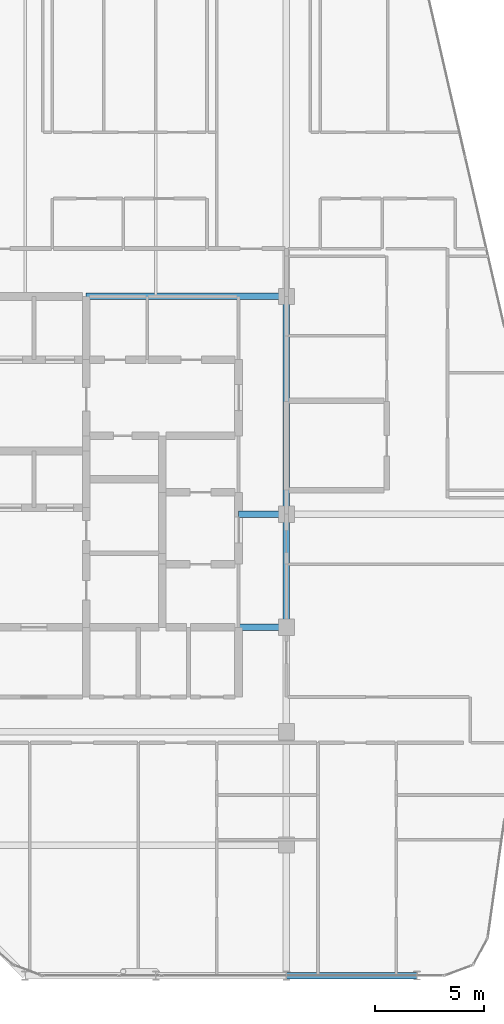
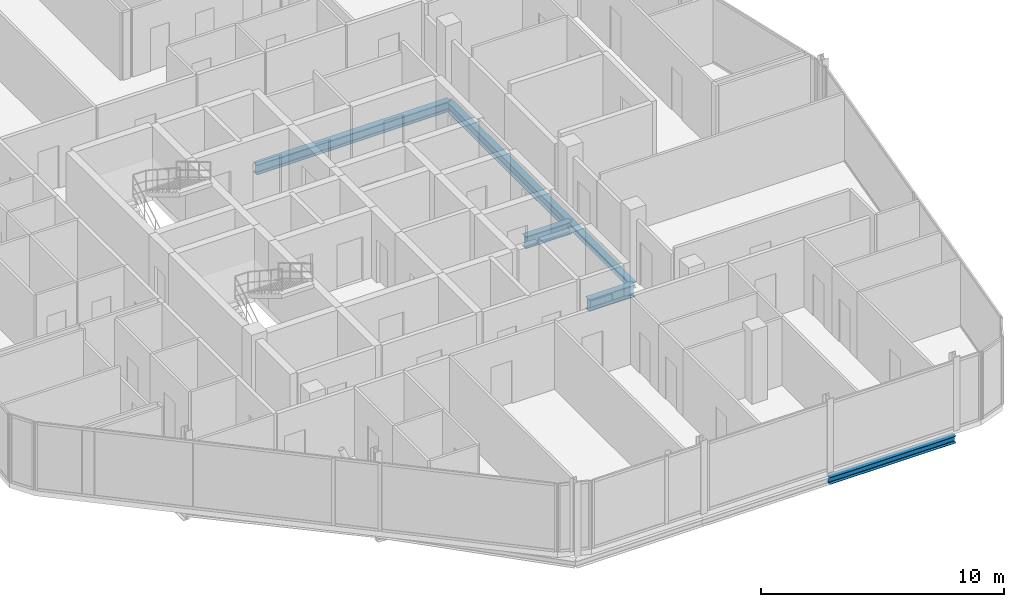
# One storey, part 11 of 27: 6 beams.
"""IFC4 building model written with IfcOpenShell, lengths in metres."""

import ifcopenshell
import ifcopenshell.guid

model = None  # the IFC model being written
_history = None  # IfcOwnerHistory: only IFC2X3 demands one
_inside = {}  # id of a spatial element -> (the spatial element, [elements in it])
_under = {}  # id of a project, library or spatial element -> (it, [spatial elements below it])
_declared = {}  # id of a project -> (the project, [libraries it declares])
_typed = {}  # id of a type object -> (the type object, [elements of that type])
_made_of = {}  # id of a material, layer set ... -> (it, [elements and type objects made of it])


def new_model(schema):
    """Start an empty IFC model of exactly this schema.

    Asked for "IFC4X3", IfcOpenShell would pick the latest addendum, in which some entities
    have other attributes; the version numbers below select the first issue.
    IFC2X3 requires an IfcOwnerHistory on every rooted entity: one is made here for all.
    """
    global model, _history
    if schema == "IFC4X3":
        model = ifcopenshell.file(schema_version=(4, 3, 0, 0))
    else:
        model = ifcopenshell.file(schema=schema)
    _inside.clear()
    _under.clear()
    _declared.clear()
    _typed.clear()
    _made_of.clear()
    _history = None
    if model.schema == "IFC2X3":
        org = make("IfcOrganization", Name="unknown")
        user = make(
            "IfcPersonAndOrganization",
            ThePerson=make("IfcPerson", FamilyName="unknown"),
            TheOrganization=org,
        )
        app = make(
            "IfcApplication",
            ApplicationDeveloper=org,
            Version="unknown",
            ApplicationFullName="unknown",
            ApplicationIdentifier="unknown",
        )
        _history = make(
            "IfcOwnerHistory",
            OwningUser=user,
            OwningApplication=app,
            ChangeAction="ADDED",
            CreationDate=0,
        )
    return model


def make(cls, **values):
    """One entity of the class cls with the attributes given. An attribute that is None is left unset."""
    return model.create_entity(
        cls, **{name: value for name, value in values.items() if value is not None}
    )


def rooted(cls, **values):
    """An entity with a GlobalId (a new one), such as an element, a storey or a relation."""
    return make(cls, GlobalId=ifcopenshell.guid.new(), OwnerHistory=_history, **values)


def si_unit(unit_type, name, prefix=None):
    """IfcSIUnit, for example si_unit("LENGTHUNIT", "METRE", prefix="MILLI")."""
    return make("IfcSIUnit", UnitType=unit_type, Prefix=prefix, Name=name)


def assignment(units):
    """IfcUnitAssignment: the units of a project."""
    return None if units is None else make("IfcUnitAssignment", Units=units)


def point(xyz):
    """IfcCartesianPoint."""
    return None if xyz is None else make("IfcCartesianPoint", Coordinates=xyz)


def direction(xyz):
    """IfcDirection."""
    return None if xyz is None else make("IfcDirection", DirectionRatios=xyz)


def frame(location, z_axis=None, x_axis=None):
    """IfcAxis2Placement3D, a coordinate frame: its origin and axes. An axis left out is left unset."""
    return make(
        "IfcAxis2Placement3D",
        Location=point(location),
        Axis=direction(z_axis),
        RefDirection=direction(x_axis),
    )


def frame_2d(location, x_axis=None):
    """IfcAxis2Placement2D, a coordinate frame in the plane: its origin and x axis."""
    return make(
        "IfcAxis2Placement2D", Location=point(location), RefDirection=direction(x_axis)
    )


def origin():
    """The frame at (0, 0, 0) with its axes left unset."""
    return frame((0.0, 0.0, 0.0))


def origin_2d():
    """The frame at (0, 0) in the plane with its x axis left unset."""
    return frame_2d((0.0, 0.0))


def place(relative_to, where):
    """IfcLocalPlacement: puts the frame where relative to a parent placement (None: the world)."""
    return make(
        "IfcLocalPlacement", PlacementRelTo=relative_to, RelativePlacement=where
    )


def context(
    kind, dimensions, precision=None, world=None, true_north=None, identifier=None
):
    """IfcGeometricRepresentationContext, for example the 3D "Model" context."""
    return make(
        "IfcGeometricRepresentationContext",
        ContextIdentifier=identifier,
        ContextType=kind,
        CoordinateSpaceDimension=dimensions,
        Precision=precision,
        WorldCoordinateSystem=world,
        TrueNorth=true_north,
    )


def subcontext(parent, identifier, kind, view, scale=None):
    """IfcGeometricRepresentationSubContext, for example "Body" below "Model"."""
    return make(
        "IfcGeometricRepresentationSubContext",
        ContextIdentifier=identifier,
        ContextType=kind,
        ParentContext=parent,
        TargetScale=scale,
        TargetView=view,
    )


def project(units=None, contexts=None):
    """IfcProject with its units and contexts."""
    return rooted(
        "IfcProject",
        Name="project",
        RepresentationContexts=contexts,
        UnitsInContext=assignment(units),
    )


def spatial(cls, under=None, at=None, **own):
    """A site, building, storey or space (cls), placed at a placement, below another one or the project."""
    s = rooted(cls, ObjectPlacement=at, **own)
    if under is not None:
        _under.setdefault(under.id(), (under, []))[1].append(s)
    return s


def profile(cls, at=None, kind="AREA", **sizes):
    """A parametric profile (cls). Its sizes go by their IFC names, for example OverallWidth=200.0."""
    return make(cls, ProfileType=kind, Position=at, **sizes)


def i_section(**sizes):
    """IfcIShapeProfileDef."""
    return profile("IfcIShapeProfileDef", **sizes)


def extrude(swept, where, along, depth):
    """IfcExtrudedAreaSolid: the profile swept, set in the frame where, extruded along a direction by depth."""
    return make(
        "IfcExtrudedAreaSolid",
        SweptArea=swept,
        Position=where,
        ExtrudedDirection=direction(along),
        Depth=depth,
    )


def shape(context_of_items, identifier, shape_type, items):
    """IfcShapeRepresentation: the items that make up one representation, for example the "Body"."""
    return make(
        "IfcShapeRepresentation",
        ContextOfItems=context_of_items,
        RepresentationIdentifier=identifier,
        RepresentationType=shape_type,
        Items=items,
    )


def material(Name=None, Category=None):
    """IfcMaterial."""
    return make("IfcMaterial", Name=Name, Category=Category)


def material_profile(
    of_material, cross_section, Name=None, Category=None, Priority=None
):
    """IfcMaterialProfile: a cross section and its material."""
    return make(
        "IfcMaterialProfile",
        Name=Name,
        Material=of_material,
        Profile=cross_section,
        Priority=Priority,
        Category=Category,
    )


def profile_set(profiles, Name=None, composite=None):
    """IfcMaterialProfileSet."""
    return make(
        "IfcMaterialProfileSet",
        Name=Name,
        MaterialProfiles=profiles,
        CompositeProfile=composite,
    )


def made_of(thing, what):
    """Note that an element or type object is made of a material, layer set ...; save() writes the relation."""
    if what is not None:
        _made_of.setdefault(what.id(), (what, []))[1].append(thing)
    return thing


def type_object(cls, material=None, **own):
    """A type object (cls), such as IfcWallType, which elements share."""
    return made_of(rooted(cls, **own), material)


def element(
    cls,
    number,
    at=None,
    inside=None,
    cuts=None,
    type_object=None,
    material=None,
    context=None,
    identifier="Body",
    shape_type=None,
    held_by="IfcProductDefinitionShape",
    body=None,
    shapes=None,
    **own,
):
    """One element of the class cls, such as IfcWall. Its Tag is "e" and its number.

    at: its placement. inside: the storey or other place that contains it. cuts: it is an
    opening in that element (IfcRelVoidsElement). A single representation is given by context,
    identifier, shape_type and body (its items); several are given by shapes. held_by: the class
    of the entity that holds the representations. save() writes the other relations.
    """
    e = rooted(cls, Tag="e%d" % number, ObjectPlacement=at, **own)
    if body is not None:
        shapes = [shape(context, identifier, shape_type, body)]
    if shapes is not None:
        e.Representation = make(held_by, Representations=shapes)
    if inside is not None:
        _inside.setdefault(inside.id(), (inside, []))[1].append(e)
    if cuts is not None:
        rooted(
            "IfcRelVoidsElement", RelatingBuildingElement=cuts, RelatedOpeningElement=e
        )
    if type_object is not None:
        _typed.setdefault(type_object.id(), (type_object, []))[1].append(e)
    return made_of(e, material)


def aggregate(whole, parts):
    """IfcRelAggregates: a whole, such as a stair, and the parts it consists of."""
    return rooted("IfcRelAggregates", RelatingObject=whole, RelatedObjects=parts)


def save(model, path):
    """Write the relations noted so far, then the file.

    IfcRelAggregates (storeys below a building ...), IfcRelContainedInSpatialStructure (elements
    in a storey), IfcRelDefinesByType, IfcRelAssociatesMaterial and IfcRelDeclares: one each for
    every whole, place, type object, material and project.
    """
    for whole, parts in _under.values():
        aggregate(whole, parts)
    for where, things in _inside.values():
        rooted(
            "IfcRelContainedInSpatialStructure",
            RelatedElements=things,
            RelatingStructure=where,
        )
    for kind, things in _typed.values():
        rooted("IfcRelDefinesByType", RelatedObjects=things, RelatingType=kind)
    for what, things in _made_of.values():
        rooted("IfcRelAssociatesMaterial", RelatedObjects=things, RelatingMaterial=what)
    for by, libraries in _declared.values():
        rooted("IfcRelDeclares", RelatingContext=by, RelatedDefinitions=libraries)
    model.write(path)


model = new_model("IFC4")

# Units and contexts
model_context = context("Model", 3, precision=1e-05, world=origin(), true_north=direction((0.0, 1.0)))
body_context = subcontext(model_context, "Body", "Model", "MODEL_VIEW")
ifc_project = project(units=[si_unit("LENGTHUNIT", "METRE"), si_unit("AREAUNIT", "SQUARE_METRE"), si_unit("VOLUMEUNIT", "CUBIC_METRE"), si_unit("PLANEANGLEUNIT", "RADIAN"), si_unit("MASSUNIT", "GRAM", prefix="KILO")], contexts=[model_context])

# Site, building, storey
site_placement = place(None, origin())
site = spatial("IfcSite", under=ifc_project, at=site_placement, CompositionType="ELEMENT")
building_placement = place(site_placement, origin())
building = spatial("IfcBuilding", under=site, at=building_placement, Name="Keshet Zoharim Tower", CompositionType="ELEMENT")
storey_placement = place(building_placement, frame((0.0, 0.0, 262.10009765625)))
storey = spatial("IfcBuildingStorey", under=building, at=storey_placement, Name="L65", CompositionType="ELEMENT", Elevation=262.10009765625)

# Beams
ifc_material = material(Name="Steel S355", Category="steel")
ifc_material_profile_1 = material_profile(ifc_material, i_section(OverallWidth=0.300048828125, OverallDepth=0.60009765625, WebThickness=0.015380859375, FlangeThickness=0.030029296875, FilletRadius=0.027099609375, at=origin_2d()), Name="HEB600")
ifc_profile_set_1 = profile_set([ifc_material_profile_1], Name="Steel S355")
beam_type_1 = type_object("IfcBeamType", Name="BM-CLK-HB600", PredefinedType="BEAM", material=ifc_profile_set_1)
for number, where, z_axis, x_axis, name in (
    (1, (30.800048828125, 22.699951171875, -0.610107421875), (1.0, 0.0, 0.0), (0.0, 1.0, 0.0), "L65 Core Wall Link Girder 01"),
    (2, (30.800048828125, 27.89990234375, -0.610107421875), (1.0, 0.0, 0.0), (0.0, 1.0, 0.0), "L65 Core Wall Link Girder 02"),
):
    element("IfcBeam", number, at=place(storey_placement, frame(where, z_axis=z_axis, x_axis=x_axis)), inside=storey, type_object=beam_type_1, Name=name, PredefinedType="BEAM", context=body_context, shape_type="SweptSolid", body=[
        extrude(i_section(OverallWidth=0.300048828125, OverallDepth=0.60009765625, WebThickness=0.015380859375, FlangeThickness=0.030029296875, FilletRadius=0.027099609375, at=origin_2d()), origin(), (0.0, 0.0, 1.0), 2.199951171875),
    ])
ifc_material_profile_2 = material_profile(ifc_material, i_section(OverallWidth=0.300048828125, OverallDepth=0.5, WebThickness=0.014404296875, FlangeThickness=0.028076171875, FilletRadius=0.027099609375, at=origin_2d()), Name="HEB500")
ifc_profile_set_2 = profile_set([ifc_material_profile_2], Name="Steel S355")
beam_type_2 = type_object("IfcBeamType", Name="BM-MED-HB500", PredefinedType="BEAM", material=ifc_profile_set_2)
beam_1_placement = place(storey_placement, frame((23.800048828125, 37.89990234375, -0.56005859375), z_axis=(1.0, 0.0, 0.0), x_axis=(0.0, 1.0, 0.0)))
element("IfcBeam", 3, at=beam_1_placement, inside=storey, type_object=beam_type_2, Name="L65 Primary Girder X-009", PredefinedType="BEAM", context=body_context, shape_type="SweptSolid", body=[
    extrude(i_section(OverallWidth=0.300048828125, OverallDepth=0.5, WebThickness=0.014404296875, FlangeThickness=0.028076171875, FilletRadius=0.027099609375, at=origin_2d()), origin(), (0.0, 0.0, 1.0), 9.199951171875),
])
beam_2_placement = place(storey_placement, frame((33.0, 27.89990234375, -0.56005859375), z_axis=(0.0, 1.0, 0.0), x_axis=(-1.0, 0.0, 0.0)))
element("IfcBeam", 4, at=beam_2_placement, inside=storey, type_object=beam_type_2, Name="L65 Primary Girder Y-008", PredefinedType="BEAM", context=body_context, shape_type="SweptSolid", body=[
    extrude(i_section(OverallWidth=0.300048828125, OverallDepth=0.5, WebThickness=0.014404296875, FlangeThickness=0.028076171875, FilletRadius=0.027099609375, at=origin_2d()), origin(), (0.0, 0.0, 1.0), 10.0),
])
ifc_material_profile_3 = material_profile(ifc_material, i_section(OverallWidth=0.300048828125, OverallDepth=0.2900390625, WebThickness=0.008544921875, FlangeThickness=0.013916015625, FilletRadius=0.027099609375, at=origin_2d()), Name="HEA300")
ifc_profile_set_3 = profile_set([ifc_material_profile_3], Name="Steel S355")
beam_type_3 = type_object("IfcBeamType", Name="BM-PRI-HA300", PredefinedType="BEAM", material=ifc_profile_set_3)
beam_3_placement = place(storey_placement, frame((33.0, 22.699951171875, -0.455078125), z_axis=(0.0, 1.0, 0.0), x_axis=(-1.0, 0.0, 0.0)))
element("IfcBeam", 5, at=beam_3_placement, inside=storey, type_object=beam_type_3, Name="L65 Primary Girder Y-007", PredefinedType="BEAM", context=body_context, shape_type="SweptSolid", body=[
    extrude(i_section(OverallWidth=0.300048828125, OverallDepth=0.2900390625, WebThickness=0.008544921875, FlangeThickness=0.013916015625, FilletRadius=0.027099609375, at=origin_2d()), origin(), (0.0, 0.0, 1.0), 5.199951171875),
])
ifc_material_profile_4 = material_profile(ifc_material, i_section(OverallWidth=0.300048828125, OverallDepth=0.35009765625, WebThickness=0.010009765625, FlangeThickness=0.017578125, FilletRadius=0.027099609375, at=origin_2d()), Name="HEA360")
ifc_profile_set_4 = profile_set([ifc_material_profile_4], Name="Steel S355")
beam_type_4 = type_object("IfcBeamType", Name="BM-PRI-HA360", PredefinedType="BEAM", material=ifc_profile_set_4)
beam_4_placement = place(storey_placement, frame((33.0, 6.699951171875, -0.485107421875), z_axis=(1.0, 0.0, 0.0), x_axis=(0.0, 1.0, 0.0)))
element("IfcBeam", 6, at=beam_4_placement, inside=storey, type_object=beam_type_4, Name="L65 Primary Girder X-003", PredefinedType="BEAM", context=body_context, shape_type="SweptSolid", body=[
    extrude(i_section(OverallWidth=0.300048828125, OverallDepth=0.35009765625, WebThickness=0.010009765625, FlangeThickness=0.017578125, FilletRadius=0.027099609375, at=origin_2d()), origin(), (0.0, 0.0, 1.0), 6.0),
])

save(model, "model.ifc")
